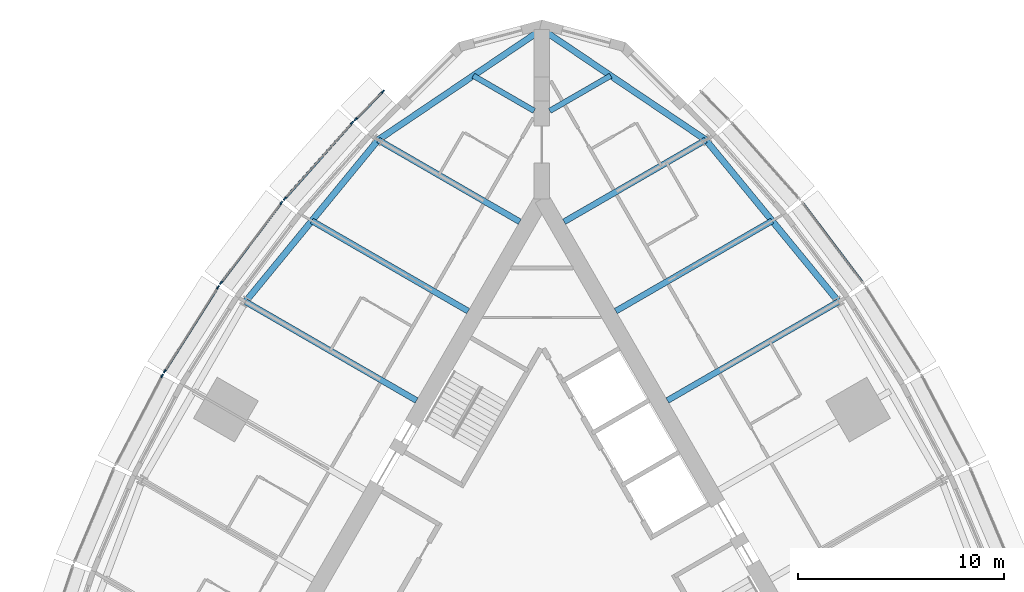
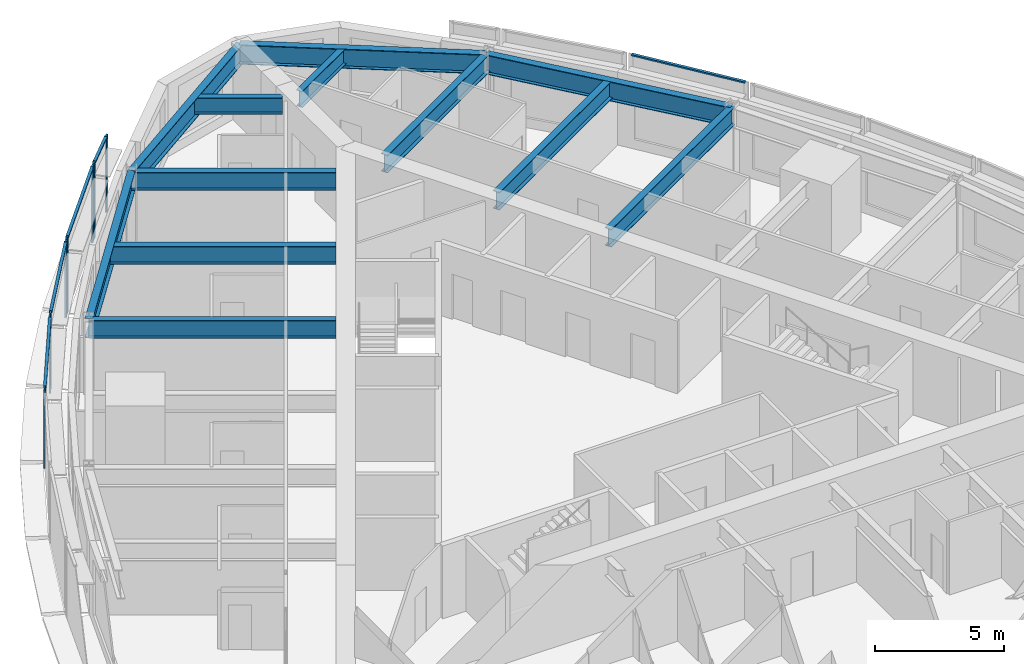
# One storey, part 5 of 15: 14 members, 12 beams, 6 elements without a shape of their own.
"""IFC4 building model written with IfcOpenShell, lengths in metres."""

from ifc_helpers import new_model, si_unit, direction, frame, origin, origin_2d, place, context, subcontext, project, spatial, rectangle, i_section, extrude, material, material_profile, profile_set, type_object, element, aggregate, save


model = new_model("IFC4")

# Units and contexts
model_context = context("Model", 3, precision=1e-05, world=origin(), true_north=direction((0.0, 1.0)))
body_context = subcontext(model_context, "Body", "Model", "MODEL_VIEW")
ifc_project = project(units=[si_unit("LENGTHUNIT", "METRE"), si_unit("AREAUNIT", "SQUARE_METRE"), si_unit("VOLUMEUNIT", "CUBIC_METRE"), si_unit("PLANEANGLEUNIT", "RADIAN"), si_unit("MASSUNIT", "GRAM", prefix="KILO")], contexts=[model_context])

# Site, building, storey
site_placement = place(None, origin())
site = spatial("IfcSite", under=ifc_project, at=site_placement, CompositionType="ELEMENT")
building_placement = place(site_placement, origin())
building = spatial("IfcBuilding", under=site, at=building_placement, Name="Trikona Tower", CompositionType="ELEMENT")
storey_placement = place(building_placement, frame((0.0, 0.0, 215.300048828125)))
storey = spatial("IfcBuildingStorey", under=building, at=storey_placement, Name="L57", CompositionType="ELEMENT", Elevation=215.300048828125)

# Curtain wall, members
ifc_material_1 = material(Name="Aluminium curtain wall system", Category="aluminium")
curtain_wall_type = type_object("IfcCurtainWallType", Name="Curtain wall DS3", PredefinedType="NOTDEFINED", material=ifc_material_1)
curtain_wall_1_placement = place(storey_placement, origin())
curtain_wall_1 = element("IfcCurtainWall", 1, at=curtain_wall_1_placement, inside=storey, type_object=curtain_wall_type, Name="Curtain wall DS3 L57", PredefinedType="NOTDEFINED")
ifc_material_2 = material(Name="Aluminium mullion, pale anodised", Category="aluminium")
ifc_material_profile_1 = material_profile(ifc_material_2, rectangle(XDim=0.070068359375, YDim=0.179931640625, at=origin_2d()), Name="MUL-DS3")
ifc_profile_set_1 = profile_set([ifc_material_profile_1], Name="Aluminium mullion, pale anodised")
member_type_1 = type_object("IfcMemberType", Name="Mullion DS3 70x180", PredefinedType="MULLION", material=ifc_profile_set_1)
member_1_placement = place(storey_placement, frame((-7.7060546875, 24.237548828125, 0.0), z_axis=(0.0, 0.0, 1.0), x_axis=(0.710051900554, -0.704149343903, 0.0)))
member_1 = element("IfcMember", 2, at=member_1_placement, type_object=member_type_1, Name="CW-DS3 mullion 1", PredefinedType="MULLION", context=body_context, shape_type="SweptSolid", body=[
    extrude(rectangle(XDim=0.070068359375, YDim=0.179931640625, at=origin_2d()), origin(), (0.0, 0.0, 1.0), 3.599853515625),
])
member_2_placement = place(storey_placement, frame((-9.028564453125, 22.904052734375, 0.0), z_axis=(0.0, 0.0, 1.0), x_axis=(0.710051900554, -0.704149343903, 0.0)))
member_2 = element("IfcMember", 3, at=member_2_placement, type_object=member_type_1, Name="CW-DS3 mullion 2", PredefinedType="MULLION", context=body_context, shape_type="SweptSolid", body=[
    extrude(rectangle(XDim=0.070068359375, YDim=0.179931640625, at=origin_2d()), origin(), (0.0, 0.0, 1.0), 3.599853515625),
])

curtain_wall_2_placement = place(storey_placement, origin())
curtain_wall_2 = element("IfcCurtainWall", 4, at=curtain_wall_2_placement, inside=storey, type_object=curtain_wall_type, Name="Curtain wall DS3 L57", PredefinedType="NOTDEFINED")
member_3_placement = place(storey_placement, frame((-9.192138671875, 22.729736328125, 0.0), z_axis=(0.0, 0.0, 1.0), x_axis=(0.747402677853, -0.664371309689, 0.0)))
member_3 = element("IfcMember", 5, at=member_3_placement, type_object=member_type_1, Name="CW-DS3 mullion 1", PredefinedType="MULLION", context=body_context, shape_type="SweptSolid", body=[
    extrude(rectangle(XDim=0.070068359375, YDim=0.179931640625, at=origin_2d()), origin(), (0.0, 0.0, 1.0), 3.599853515625),
])
member_4_placement = place(storey_placement, frame((-12.45751953125, 19.056396484375, 0.0), z_axis=(0.0, 0.0, 1.0), x_axis=(0.747402677853, -0.664371309689, 0.0)))
member_4 = element("IfcMember", 6, at=member_4_placement, type_object=member_type_1, Name="CW-DS3 mullion 2", PredefinedType="MULLION", context=body_context, shape_type="SweptSolid", body=[
    extrude(rectangle(XDim=0.070068359375, YDim=0.179931640625, at=origin_2d()), origin(), (0.0, 0.0, 1.0), 3.599853515625),
])

curtain_wall_3_placement = place(storey_placement, origin())
curtain_wall_3 = element("IfcCurtainWall", 7, at=curtain_wall_3_placement, inside=storey, type_object=curtain_wall_type, Name="Curtain wall DS3 L57", PredefinedType="NOTDEFINED")
member_5_placement = place(storey_placement, frame((-12.62353515625, 18.853759765625, 0.0), z_axis=(0.0, 0.0, 1.0), x_axis=(0.798193208724, -0.602401528506, 0.0)))
member_5 = element("IfcMember", 8, at=member_5_placement, type_object=member_type_1, Name="CW-DS3 mullion 1", PredefinedType="MULLION", context=body_context, shape_type="SweptSolid", body=[
    extrude(rectangle(XDim=0.070068359375, YDim=0.179931640625, at=origin_2d()), origin(), (0.0, 0.0, 1.0), 3.599853515625),
])
member_6_placement = place(storey_placement, frame((-15.5439453125, 14.984130859375, 0.0), z_axis=(0.0, 0.0, 1.0), x_axis=(0.798193208724, -0.602401528506, 0.0)))
member_6 = element("IfcMember", 9, at=member_6_placement, type_object=member_type_1, Name="CW-DS3 mullion 2", PredefinedType="MULLION", context=body_context, shape_type="SweptSolid", body=[
    extrude(rectangle(XDim=0.070068359375, YDim=0.179931640625, at=origin_2d()), origin(), (0.0, 0.0, 1.0), 3.599853515625),
])

curtain_wall_4_placement = place(storey_placement, origin())
curtain_wall_4 = element("IfcCurtainWall", 10, at=curtain_wall_4_placement, inside=storey, type_object=curtain_wall_type, Name="Curtain wall DS3 L57", PredefinedType="NOTDEFINED")
member_7_placement = place(storey_placement, frame((-15.69384765625, 14.767578125, 0.0), z_axis=(0.0, 0.0, 1.0), x_axis=(0.844727131858, -0.535197227854, 0.0)))
member_7 = element("IfcMember", 11, at=member_7_placement, type_object=member_type_1, Name="CW-DS3 mullion 1", PredefinedType="MULLION", context=body_context, shape_type="SweptSolid", body=[
    extrude(rectangle(XDim=0.070068359375, YDim=0.179931640625, at=origin_2d()), origin(), (0.0, 0.0, 1.0), 3.599853515625),
])
member_8_placement = place(storey_placement, frame((-18.2705078125, 10.700927734375, 0.0), z_axis=(0.0, 0.0, 1.0), x_axis=(0.844727131858, -0.535197227854, 0.0)))
member_8 = element("IfcMember", 12, at=member_8_placement, type_object=member_type_1, Name="CW-DS3 mullion 2", PredefinedType="MULLION", context=body_context, shape_type="SweptSolid", body=[
    extrude(rectangle(XDim=0.070068359375, YDim=0.179931640625, at=origin_2d()), origin(), (0.0, 0.0, 1.0), 3.599853515625),
])

# Curtain wall, member
curtain_wall_5_placement = place(storey_placement, origin())
curtain_wall_5 = element("IfcCurtainWall", 13, at=curtain_wall_5_placement, inside=storey, type_object=curtain_wall_type, Name="Curtain wall DS3 L57", PredefinedType="NOTDEFINED")
member_9_placement = place(storey_placement, frame((-18.40234375, 10.472412109375, 0.0), z_axis=(0.0, 0.0, 1.0), x_axis=(0.885862390527, -0.463948084434, 0.0)))
member_9 = element("IfcMember", 14, at=member_9_placement, type_object=member_type_1, Name="CW-DS3 mullion 1", PredefinedType="MULLION", context=body_context, shape_type="SweptSolid", body=[
    extrude(rectangle(XDim=0.070068359375, YDim=0.179931640625, at=origin_2d()), origin(), (0.0, 0.0, 1.0), 3.599853515625),
])
aggregate(curtain_wall_5, [member_9])

# Beams
ifc_material_3 = material(Name="Steel ASTM A992 Grade 50", Category="steel")
ifc_material_profile_2 = material_profile(ifc_material_3, i_section(OverallWidth=0.2666015625, OverallDepth=0.76953125, WebThickness=0.015625, FlangeThickness=0.025390625, at=origin_2d()), Name="W30X132")
ifc_profile_set_2 = profile_set([ifc_material_profile_2], Name="Steel ASTM A992 Grade 50")
beam_type_1 = type_object("IfcBeamType", Name="Steel beam W30x132 (wedge)", PredefinedType="BEAM", material=ifc_profile_set_2)
for number, where, z_axis, x_axis, name in (
    (15, (0.375, 23.310546875, 3.050048828125), (0.866027000698, 0.499997234054, 0.0), (-0.499997234054, 0.866027000698, 0.0), "Floor beam L58 F2 u20"),
    (16, (-0.375, 23.310546875, 3.050048828125), (-0.866027000698, 0.499997234054, 0.0), (-0.499997234054, -0.866027000698, 0.0), "Floor beam L58 F3 u-20"),
):
    element("IfcBeam", number, at=place(storey_placement, frame(where, z_axis=z_axis, x_axis=x_axis)), inside=storey, type_object=beam_type_1, Name=name, PredefinedType="BEAM", context=body_context, shape_type="SweptSolid", body=[
        extrude(i_section(OverallWidth=0.2666015625, OverallDepth=0.76953125, WebThickness=0.015625, FlangeThickness=0.025390625, at=origin_2d()), origin(), (0.0, 0.0, 1.0), 3.40966796875),
    ])
ifc_material_4 = material(Name="Steel ASTM A992 Grade 50", Category="steel")
ifc_material_profile_3 = material_profile(ifc_material_4, i_section(OverallWidth=0.2919921875, OverallDepth=0.845703125, WebThickness=0.015380859375, FlangeThickness=0.0244140625, at=origin_2d()), Name="W33X141")
ifc_profile_set_3 = profile_set([ifc_material_profile_3], Name="Steel ASTM A992 Grade 50")
beam_type_2 = type_object("IfcBeamType", Name="Steel beam W33x141 (radial typ)", PredefinedType="BEAM", material=ifc_profile_set_3)
beam_1_placement = place(storey_placement, frame((6.07470703125, 9.28076171875, 3.011962890625), z_axis=(0.866025863714, 0.499999203377, 0.0), x_axis=(-0.499999203377, 0.866025863714, 0.0)))
element("IfcBeam", 17, at=beam_1_placement, inside=storey, type_object=beam_type_2, Name="Floor beam L58 F2 u5", PredefinedType="BEAM", context=body_context, shape_type="SweptSolid", body=[
    extrude(i_section(OverallWidth=0.2919921875, OverallDepth=0.845703125, WebThickness=0.015380859375, FlangeThickness=0.0244140625, at=origin_2d()), origin(), (0.0, 0.0, 1.0), 9.57080078125),
])
beam_2_placement = place(storey_placement, frame((3.57470703125, 13.61083984375, 3.011962890625), z_axis=(0.866013609749, 0.500020427312, 0.0), x_axis=(-0.500020427312, 0.866013609749, 0.0)))
element("IfcBeam", 18, at=beam_2_placement, inside=storey, type_object=beam_type_2, Name="Floor beam L58 F2 u10", PredefinedType="BEAM", context=body_context, shape_type="SweptSolid", body=[
    extrude(i_section(OverallWidth=0.2919921875, OverallDepth=0.845703125, WebThickness=0.015380859375, FlangeThickness=0.0244140625, at=origin_2d()), origin(), (0.0, 0.0, 1.0), 8.747314453125),
])
for number, where, z_axis, x_axis, name in (
    (19, (1.07470703125, 17.94091796875, 3.011962890625), (0.866019853763, 0.500009612796, 0.0), (-0.500009612796, 0.866019853763, 0.0), "Floor beam L58 F2 u15"),
    (20, (-1.07470703125, 17.94091796875, 3.011962890625), (-0.866019853763, 0.500009612796, 0.0), (-0.500009612796, -0.866019853763, 0.0), "Floor beam L58 F3 u-15"),
):
    element("IfcBeam", number, at=place(storey_placement, frame(where, z_axis=z_axis, x_axis=x_axis)), inside=storey, type_object=beam_type_2, Name=name, PredefinedType="BEAM", context=body_context, shape_type="SweptSolid", body=[
        extrude(i_section(OverallWidth=0.2919921875, OverallDepth=0.845703125, WebThickness=0.015380859375, FlangeThickness=0.0244140625, at=origin_2d()), origin(), (0.0, 0.0, 1.0), 7.923583984375),
    ])
beam_3_placement = place(storey_placement, frame((-3.57470703125, 13.61083984375, 3.011962890625), z_axis=(-0.866013609749, 0.500020427312, 0.0), x_axis=(-0.500020427312, -0.866013609749, 0.0)))
element("IfcBeam", 21, at=beam_3_placement, inside=storey, type_object=beam_type_2, Name="Floor beam L58 F3 u-10", PredefinedType="BEAM", context=body_context, shape_type="SweptSolid", body=[
    extrude(i_section(OverallWidth=0.2919921875, OverallDepth=0.845703125, WebThickness=0.015380859375, FlangeThickness=0.0244140625, at=origin_2d()), origin(), (0.0, 0.0, 1.0), 8.747314453125),
])
beam_4_placement = place(storey_placement, frame((-6.07470703125, 9.28076171875, 3.011962890625), z_axis=(-0.866025863714, 0.499999203377, 0.0), x_axis=(-0.499999203377, -0.866025863714, 0.0)))
element("IfcBeam", 22, at=beam_4_placement, inside=storey, type_object=beam_type_2, Name="Floor beam L58 F3 u-5", PredefinedType="BEAM", context=body_context, shape_type="SweptSolid", body=[
    extrude(i_section(OverallWidth=0.2919921875, OverallDepth=0.845703125, WebThickness=0.015380859375, FlangeThickness=0.0244140625, at=origin_2d()), origin(), (0.0, 0.0, 1.0), 9.57080078125),
])
ifc_material_5 = material(Name="Steel ASTM A992 Grade 50", Category="steel")
ifc_material_profile_4 = material_profile(ifc_material_5, i_section(OverallWidth=0.307373046875, OverallDepth=0.922119140625, WebThickness=0.018310546875, FlangeThickness=0.030029296875, at=origin_2d()), Name="W36X182")
ifc_profile_set_4 = profile_set([ifc_material_profile_4], Name="Steel ASTM A992 Grade 50")
beam_type_3 = type_object("IfcBeamType", Name="Steel beam W36x182 (spandrel mid)", PredefinedType="SPANDREL", material=ifc_profile_set_4)
beam_5_placement = place(storey_placement, frame((14.36328125, 14.066162109375, 2.973876953125), z_axis=(-0.634105803308, 0.77324629337, 0.0), x_axis=(-0.77324629337, -0.634105803308, 0.0)))
element("IfcBeam", 23, at=beam_5_placement, inside=storey, type_object=beam_type_3, Name="Spandrel beam L58 F2-4", PredefinedType="SPANDREL", context=body_context, shape_type="SweptSolid", body=[
    extrude(i_section(OverallWidth=0.307373046875, OverallDepth=0.922119140625, WebThickness=0.018310546875, FlangeThickness=0.030029296875, at=origin_2d()), origin(), (0.0, 0.0, 1.0), 10.134765625),
])
for number, where, z_axis, x_axis, name in (
    (24, (7.936767578125, 21.90283203125, 2.973876953125), (-0.828725418029, 0.55965541319, 0.0), (-0.55965541319, -0.828725418029, 0.0), "Spandrel beam L58 F2-5"),
    (25, (0.0, 27.2626953125, 2.973876953125), (-0.828725418029, -0.55965541319, 0.0), (0.55965541319, -0.828725418029, 0.0), "Spandrel beam L58 F3-1"),
):
    element("IfcBeam", number, at=place(storey_placement, frame(where, z_axis=z_axis, x_axis=x_axis)), inside=storey, type_object=beam_type_3, Name=name, PredefinedType="SPANDREL", context=body_context, shape_type="SweptSolid", body=[
        extrude(i_section(OverallWidth=0.307373046875, OverallDepth=0.922119140625, WebThickness=0.018310546875, FlangeThickness=0.030029296875, at=origin_2d()), origin(), (0.0, 0.0, 1.0), 9.5771484375),
    ])
beam_6_placement = place(storey_placement, frame((-7.936767578125, 21.90283203125, 2.973876953125), z_axis=(-0.634105803308, -0.77324629337, 0.0), x_axis=(0.77324629337, -0.634105803308, 0.0)))
element("IfcBeam", 26, at=beam_6_placement, inside=storey, type_object=beam_type_3, Name="Spandrel beam L58 F3-2", PredefinedType="SPANDREL", context=body_context, shape_type="SweptSolid", body=[
    extrude(i_section(OverallWidth=0.307373046875, OverallDepth=0.922119140625, WebThickness=0.018310546875, FlangeThickness=0.030029296875, at=origin_2d()), origin(), (0.0, 0.0, 1.0), 10.134765625),
])

# Curtain wall, member
curtain_wall_6_placement = place(storey_placement, origin())
curtain_wall_6 = element("IfcCurtainWall", 27, at=curtain_wall_6_placement, inside=storey, type_object=curtain_wall_type, Name="Curtain wall DS3 L57", PredefinedType="NOTDEFINED")
ifc_material_6 = material(Name="Aluminium transom, pale anodised", Category="aluminium")
ifc_material_profile_5 = material_profile(ifc_material_6, rectangle(XDim=0.1201171875, YDim=0.070068359375, at=origin_2d()), Name="TRN-DS3")
ifc_profile_set_5 = profile_set([ifc_material_profile_5], Name="Aluminium transom, pale anodised")
member_type_2 = type_object("IfcMemberType", Name="Transom DS3 70x120", PredefinedType="USERDEFINED", material=ifc_profile_set_5)
member_10_placement = place(storey_placement, frame((15.52294921875, 15.011962890625, 3.56494140625), z_axis=(-0.602400763927, 0.798193785756, 0.0), x_axis=(-0.798193785756, -0.602400763927, 0.0)))
member_10 = element("IfcMember", 28, at=member_10_placement, type_object=member_type_2, Name="CW-DS3 transom 1.1", ObjectType="TRANSOM", PredefinedType="USERDEFINED", context=body_context, shape_type="SweptSolid", body=[
    extrude(rectangle(XDim=0.1201171875, YDim=0.070068359375, at=origin_2d()), origin(), (0.0, 0.0, 1.0), 4.7783203125),
])
aggregate(curtain_wall_6, [member_10])

# Member
member_11_placement = place(storey_placement, frame((-7.73046875, 24.212890625, 3.56494140625), z_axis=(-0.704130668076, -0.710070420645, 0.0), x_axis=(0.710070420645, -0.704130668076, 0.0)))
member_11 = element("IfcMember", 29, at=member_11_placement, type_object=member_type_2, Name="CW-DS3 transom 1.1", ObjectType="TRANSOM", PredefinedType="USERDEFINED", context=body_context, shape_type="SweptSolid", body=[
    extrude(rectangle(XDim=0.1201171875, YDim=0.070068359375, at=origin_2d()), origin(), (0.0, 0.0, 1.0), 1.80859375),
])

aggregate(curtain_wall_1, [member_1, member_2, member_11])

member_12_placement = place(storey_placement, frame((-9.21533203125, 22.70361328125, 3.56494140625), z_axis=(-0.66436383883, -0.747409318684, 0.0), x_axis=(0.747409318684, -0.66436383883, 0.0)))
member_12 = element("IfcMember", 30, at=member_12_placement, type_object=member_type_2, Name="CW-DS3 transom 1.1", ObjectType="TRANSOM", PredefinedType="USERDEFINED", context=body_context, shape_type="SweptSolid", body=[
    extrude(rectangle(XDim=0.1201171875, YDim=0.070068359375, at=origin_2d()), origin(), (0.0, 0.0, 1.0), 4.844970703125),
])

aggregate(curtain_wall_2, [member_3, member_4, member_12])

member_13_placement = place(storey_placement, frame((-12.64453125, 18.825927734375, 3.56494140625), z_axis=(-0.602400763927, -0.798193785756, 0.0), x_axis=(0.798193785756, -0.602400763927, 0.0)))
member_13 = element("IfcMember", 31, at=member_13_placement, type_object=member_type_2, Name="CW-DS3 transom 1.1", ObjectType="TRANSOM", PredefinedType="USERDEFINED", context=body_context, shape_type="SweptSolid", body=[
    extrude(rectangle(XDim=0.1201171875, YDim=0.070068359375, at=origin_2d()), origin(), (0.0, 0.0, 1.0), 4.7783203125),
])

aggregate(curtain_wall_3, [member_5, member_6, member_13])

member_14_placement = place(storey_placement, frame((-15.712646484375, 14.738037109375, 3.56494140625), z_axis=(-0.535192866729, -0.844729894938, 0.0), x_axis=(0.844729894938, -0.535192866729, 0.0)))
member_14 = element("IfcMember", 32, at=member_14_placement, type_object=member_type_2, Name="CW-DS3 transom 1.1", ObjectType="TRANSOM", PredefinedType="USERDEFINED", context=body_context, shape_type="SweptSolid", body=[
    extrude(rectangle(XDim=0.1201171875, YDim=0.070068359375, at=origin_2d()), origin(), (0.0, 0.0, 1.0), 4.744140625),
])

aggregate(curtain_wall_4, [member_7, member_8, member_14])

save(model, "model.ifc")
